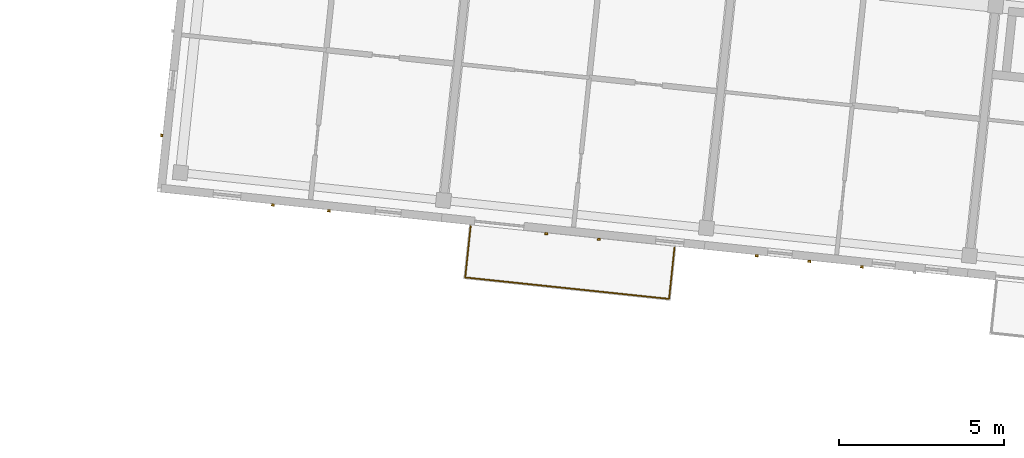
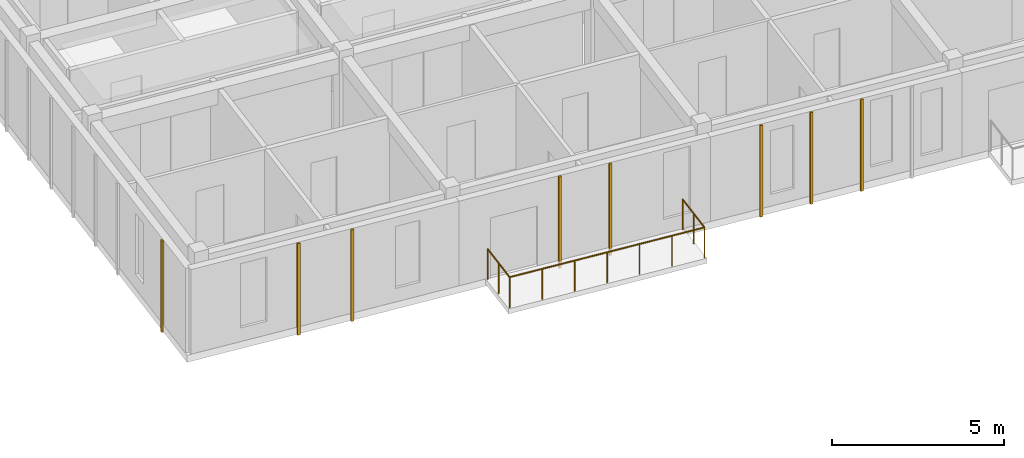
# One storey, part 54 of 64: 8 coverings, 1 railing.
"""IFC4 building model written with IfcOpenShell, lengths in metres."""

from ifc_helpers import new_model, si_unit, direction, frame, origin, origin_2d, place, context, subcontext, project, spatial, rectangle, circle, extrude, material, layer, layer_set, type_object, element, save


model = new_model("IFC4")

# Units and contexts
model_context = context("Model", 3, precision=1e-05, world=origin(), true_north=direction((0.0, 1.0)))
body_context = subcontext(model_context, "Body", "Model", "MODEL_VIEW")
ifc_project = project(units=[si_unit("LENGTHUNIT", "METRE"), si_unit("AREAUNIT", "SQUARE_METRE"), si_unit("VOLUMEUNIT", "CUBIC_METRE"), si_unit("PLANEANGLEUNIT", "RADIAN"), si_unit("MASSUNIT", "GRAM", prefix="KILO")], contexts=[model_context])

# Site, building, storey
site_placement = place(None, origin())
site = spatial("IfcSite", under=ifc_project, at=site_placement, CompositionType="ELEMENT")
building_placement = place(site_placement, origin())
building = spatial("IfcBuilding", under=site, at=building_placement, Name="Kestramere Prow Commons", CompositionType="ELEMENT")
storey_placement = place(building_placement, frame((0.0, 0.0, 24.64990234375)))
storey = spatial("IfcBuildingStorey", under=building, at=storey_placement, Name="L07", CompositionType="ELEMENT", Elevation=24.64990234375)

# Coverings
ifc_material_1 = material(Name="Weathered Zinc-Titanium Standing-Seam Cladding")
ifc_layer = layer(ifc_material_1, 0.074951171875)
ifc_layer_set = layer_set([ifc_layer], Name="Weathered Zinc-Titanium Standing-Seam Cladding")
covering_type = type_object("IfcCoveringType", Name="COV-CLAD-SEAM", PredefinedType="CLADDING", material=ifc_layer_set)
for number, where, z_axis, x_axis, name in (
    (1, (114.494140625, 93.646484375, -0.25), (0.0, 0.0, 1.0), (-0.994521895368, 0.104528463268, 0.0), "EW-B-L07-S-0 Standing-Seam Rib 2"),
    (2, (112.79833984375, 93.82470703125, -0.25), (0.0, 0.0, 1.0), (-0.994521895368, 0.104528463268, 0.0), "EW-B-L07-S-0 Standing-Seam Rib 3"),
    (3, (122.6591796875, 92.788330078125, -0.25), (0.0, 0.0, 1.0), (-0.994521895368, 0.104528463268, 0.0), "EW-B-L07-S-1 Standing-Seam Rib 2"),
    (4, (121.06787109375, 92.95556640625, -0.25), (0.0, 0.0, 1.0), (-0.994521895368, 0.104528463268, 0.0), "EW-B-L07-S-1 Standing-Seam Rib 3"),
    (5, (130.615234375, 91.951904296875, -0.25), (0.0, 0.0, 1.0), (-0.994521895368, 0.104528463268, 0.0), "EW-B-L07-S-2 Standing-Seam Rib 2"),
    (6, (129.02392578125, 92.119384765625, -0.25), (0.0, 0.0, 1.0), (-0.994521895368, 0.104528463268, 0.0), "EW-B-L07-S-2 Standing-Seam Rib 3"),
    (7, (127.432861328125, 92.28662109375, -0.25), (0.0, 0.0, 1.0), (-0.994521895368, 0.104528463268, 0.0), "EW-B-L07-S-2 Standing-Seam Rib 4"),
    (8, (109.437255859375, 95.928466796875, -0.25), (0.0, 0.0, 1.0), (0.104528463268, 0.994521895368, 0.0), "EW-B-L07-EAV Standing-Seam Rib 1"),
):
    element("IfcCovering", number, at=place(storey_placement, frame(where, z_axis=z_axis, x_axis=x_axis)), inside=storey, type_object=covering_type, Name=name, PredefinedType="CLADDING", context=body_context, shape_type="SweptSolid", body=[
        extrude(rectangle(XDim=0.0849609375, YDim=0.06494140625, at=origin_2d()), origin(), (0.0, 0.0, 1.0), 3.25),
    ])

# Railing
ifc_material_2 = material(Name="Powder-Coated Aluminium 6063-T6", Category="aluminium")
railing_type = type_object("IfcRailingType", Name="GRD-BALC-1100", PredefinedType="BALUSTRADE", material=ifc_material_2)
railing_placement = place(storey_placement, frame((118.779052734375, 93.18359375, 0.0)))
element("IfcRailing", 9, at=railing_placement, inside=storey, type_object=railing_type, Name="Block B L07 Balcony Guardrail 2", PredefinedType="BALUSTRADE", context=body_context, shape_type="SweptSolid", body=[
    extrude(circle(Radius=0.02392578125, at=origin_2d()), frame((0.0, 0.0, 1.076171875), z_axis=(-0.104538150424, -0.994520877159, 0.0), x_axis=(0.994520877159, -0.104538150424, 0.0)), (0.0, 0.0, 1.0), 1.56005859375),
    extrude(circle(Radius=0.02392578125, at=origin_2d()), frame((-0.1630859375, -1.551513671875, 1.076171875), z_axis=(0.994519899862, -0.104547447503, 0.0), x_axis=(0.104547447503, 0.994519899862, 0.0)), (0.0, 0.0, 1.0), 6.199951171875),
    extrude(circle(Radius=0.02392578125, at=origin_2d()), frame((6.0029296875, -2.19970703125, 1.076171875), z_axis=(0.104538150424, 0.994520877159, 0.0), x_axis=(-0.994520877159, 0.104538150424, 0.0)), (0.0, 0.0, 1.0), 1.56005859375),
    extrude(circle(Radius=0.02099609375, at=origin_2d()), origin(), (0.0, 0.0, 1.0), 1.052001953125),
    extrude(circle(Radius=0.02099609375, at=origin_2d()), frame((-0.08154296875, -0.77587890625, 0.0)), (0.0, 0.0, 1.0), 1.052001953125),
    extrude(circle(Radius=0.02099609375, at=origin_2d()), frame((-0.1630859375, -1.551513671875, 0.0)), (0.0, 0.0, 1.0), 1.052001953125),
    extrude(circle(Radius=0.02099609375, at=origin_2d()), frame((0.864501953125, -1.65966796875, 0.0)), (0.0, 0.0, 1.0), 1.052001953125),
    extrude(circle(Radius=0.02099609375, at=origin_2d()), frame((1.892333984375, -1.767578125, 0.0)), (0.0, 0.0, 1.0), 1.052001953125),
    extrude(circle(Radius=0.02099609375, at=origin_2d()), frame((2.919921875, -1.87548828125, 0.0)), (0.0, 0.0, 1.0), 1.052001953125),
    extrude(circle(Radius=0.02099609375, at=origin_2d()), frame((3.947509765625, -1.983642578125, 0.0)), (0.0, 0.0, 1.0), 1.052001953125),
    extrude(circle(Radius=0.02099609375, at=origin_2d()), frame((4.975341796875, -2.091796875, 0.0)), (0.0, 0.0, 1.0), 1.052001953125),
    extrude(circle(Radius=0.02099609375, at=origin_2d()), frame((6.0029296875, -2.19970703125, 0.0)), (0.0, 0.0, 1.0), 1.052001953125),
    extrude(circle(Radius=0.02099609375, at=origin_2d()), frame((6.08447265625, -1.423828125, 0.0)), (0.0, 0.0, 1.0), 1.052001953125),
    extrude(circle(Radius=0.02099609375, at=origin_2d()), frame((6.166015625, -0.648193359375, 0.0)), (0.0, 0.0, 1.0), 1.052001953125),
])

save(model, "model.ifc")
